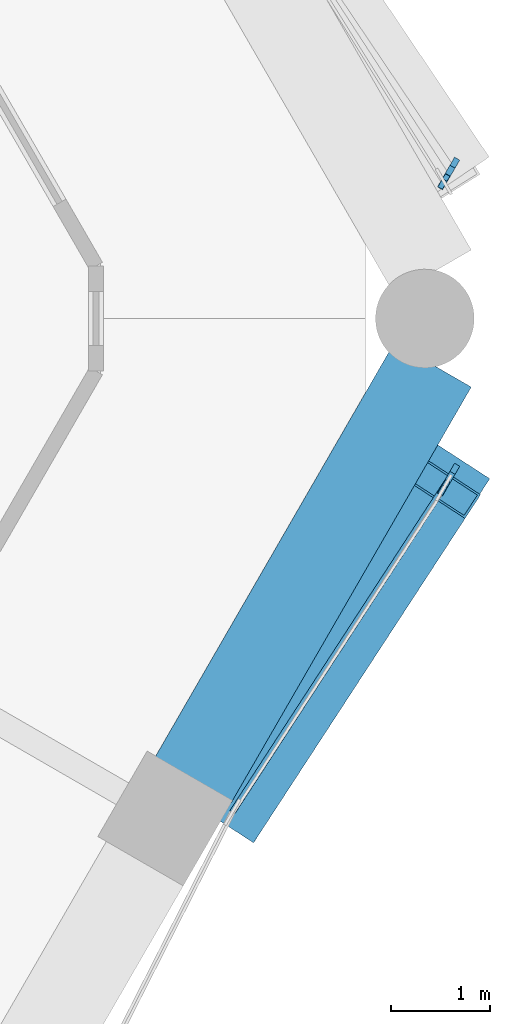
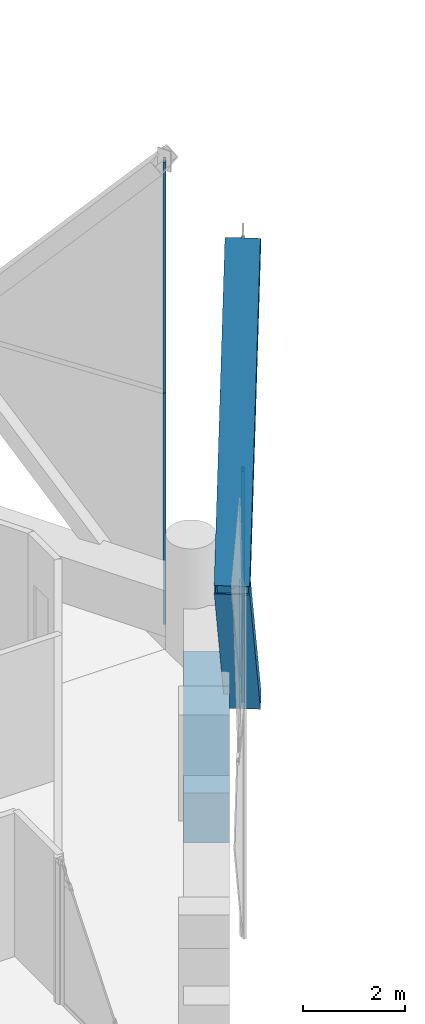
# One storey, part 14 of 37: 7 members, 1 beam, 3 elements without a shape of their own.
"""IFC4 building model written with IfcOpenShell, lengths in metres."""

import ifcopenshell
import ifcopenshell.guid

model = None  # the IFC model being written
_history = None  # IfcOwnerHistory: only IFC2X3 demands one
_inside = {}  # id of a spatial element -> (the spatial element, [elements in it])
_under = {}  # id of a project, library or spatial element -> (it, [spatial elements below it])
_declared = {}  # id of a project -> (the project, [libraries it declares])
_typed = {}  # id of a type object -> (the type object, [elements of that type])
_made_of = {}  # id of a material, layer set ... -> (it, [elements and type objects made of it])


def new_model(schema):
    """Start an empty IFC model of exactly this schema.

    Asked for "IFC4X3", IfcOpenShell would pick the latest addendum, in which some entities
    have other attributes; the version numbers below select the first issue.
    IFC2X3 requires an IfcOwnerHistory on every rooted entity: one is made here for all.
    """
    global model, _history
    if schema == "IFC4X3":
        model = ifcopenshell.file(schema_version=(4, 3, 0, 0))
    else:
        model = ifcopenshell.file(schema=schema)
    _inside.clear()
    _under.clear()
    _declared.clear()
    _typed.clear()
    _made_of.clear()
    _history = None
    if model.schema == "IFC2X3":
        org = make("IfcOrganization", Name="unknown")
        user = make(
            "IfcPersonAndOrganization",
            ThePerson=make("IfcPerson", FamilyName="unknown"),
            TheOrganization=org,
        )
        app = make(
            "IfcApplication",
            ApplicationDeveloper=org,
            Version="unknown",
            ApplicationFullName="unknown",
            ApplicationIdentifier="unknown",
        )
        _history = make(
            "IfcOwnerHistory",
            OwningUser=user,
            OwningApplication=app,
            ChangeAction="ADDED",
            CreationDate=0,
        )
    return model


def make(cls, **values):
    """One entity of the class cls with the attributes given. An attribute that is None is left unset."""
    return model.create_entity(
        cls, **{name: value for name, value in values.items() if value is not None}
    )


def rooted(cls, **values):
    """An entity with a GlobalId (a new one), such as an element, a storey or a relation."""
    return make(cls, GlobalId=ifcopenshell.guid.new(), OwnerHistory=_history, **values)


def si_unit(unit_type, name, prefix=None):
    """IfcSIUnit, for example si_unit("LENGTHUNIT", "METRE", prefix="MILLI")."""
    return make("IfcSIUnit", UnitType=unit_type, Prefix=prefix, Name=name)


def assignment(units):
    """IfcUnitAssignment: the units of a project."""
    return None if units is None else make("IfcUnitAssignment", Units=units)


def point(xyz):
    """IfcCartesianPoint."""
    return None if xyz is None else make("IfcCartesianPoint", Coordinates=xyz)


def direction(xyz):
    """IfcDirection."""
    return None if xyz is None else make("IfcDirection", DirectionRatios=xyz)


def frame(location, z_axis=None, x_axis=None):
    """IfcAxis2Placement3D, a coordinate frame: its origin and axes. An axis left out is left unset."""
    return make(
        "IfcAxis2Placement3D",
        Location=point(location),
        Axis=direction(z_axis),
        RefDirection=direction(x_axis),
    )


def frame_2d(location, x_axis=None):
    """IfcAxis2Placement2D, a coordinate frame in the plane: its origin and x axis."""
    return make(
        "IfcAxis2Placement2D", Location=point(location), RefDirection=direction(x_axis)
    )


def origin():
    """The frame at (0, 0, 0) with its axes left unset."""
    return frame((0.0, 0.0, 0.0))


def origin_2d():
    """The frame at (0, 0) in the plane with its x axis left unset."""
    return frame_2d((0.0, 0.0))


def place(relative_to, where):
    """IfcLocalPlacement: puts the frame where relative to a parent placement (None: the world)."""
    return make(
        "IfcLocalPlacement", PlacementRelTo=relative_to, RelativePlacement=where
    )


def context(
    kind, dimensions, precision=None, world=None, true_north=None, identifier=None
):
    """IfcGeometricRepresentationContext, for example the 3D "Model" context."""
    return make(
        "IfcGeometricRepresentationContext",
        ContextIdentifier=identifier,
        ContextType=kind,
        CoordinateSpaceDimension=dimensions,
        Precision=precision,
        WorldCoordinateSystem=world,
        TrueNorth=true_north,
    )


def subcontext(parent, identifier, kind, view, scale=None):
    """IfcGeometricRepresentationSubContext, for example "Body" below "Model"."""
    return make(
        "IfcGeometricRepresentationSubContext",
        ContextIdentifier=identifier,
        ContextType=kind,
        ParentContext=parent,
        TargetScale=scale,
        TargetView=view,
    )


def project(units=None, contexts=None):
    """IfcProject with its units and contexts."""
    return rooted(
        "IfcProject",
        Name="project",
        RepresentationContexts=contexts,
        UnitsInContext=assignment(units),
    )


def spatial(cls, under=None, at=None, **own):
    """A site, building, storey or space (cls), placed at a placement, below another one or the project."""
    s = rooted(cls, ObjectPlacement=at, **own)
    if under is not None:
        _under.setdefault(under.id(), (under, []))[1].append(s)
    return s


def profile(cls, at=None, kind="AREA", **sizes):
    """A parametric profile (cls). Its sizes go by their IFC names, for example OverallWidth=200.0."""
    return make(cls, ProfileType=kind, Position=at, **sizes)


def rectangle(**sizes):
    """IfcRectangleProfileDef."""
    return profile("IfcRectangleProfileDef", **sizes)


def hollow_rectangle(**sizes):
    """IfcRectangleHollowProfileDef."""
    return profile("IfcRectangleHollowProfileDef", **sizes)


def extrude(swept, where, along, depth):
    """IfcExtrudedAreaSolid: the profile swept, set in the frame where, extruded along a direction by depth."""
    return make(
        "IfcExtrudedAreaSolid",
        SweptArea=swept,
        Position=where,
        ExtrudedDirection=direction(along),
        Depth=depth,
    )


def shape(context_of_items, identifier, shape_type, items):
    """IfcShapeRepresentation: the items that make up one representation, for example the "Body"."""
    return make(
        "IfcShapeRepresentation",
        ContextOfItems=context_of_items,
        RepresentationIdentifier=identifier,
        RepresentationType=shape_type,
        Items=items,
    )


def material(Name=None, Category=None):
    """IfcMaterial."""
    return make("IfcMaterial", Name=Name, Category=Category)


def material_profile(
    of_material, cross_section, Name=None, Category=None, Priority=None
):
    """IfcMaterialProfile: a cross section and its material."""
    return make(
        "IfcMaterialProfile",
        Name=Name,
        Material=of_material,
        Profile=cross_section,
        Priority=Priority,
        Category=Category,
    )


def profile_set(profiles, Name=None, composite=None):
    """IfcMaterialProfileSet."""
    return make(
        "IfcMaterialProfileSet",
        Name=Name,
        MaterialProfiles=profiles,
        CompositeProfile=composite,
    )


def made_of(thing, what):
    """Note that an element or type object is made of a material, layer set ...; save() writes the relation."""
    if what is not None:
        _made_of.setdefault(what.id(), (what, []))[1].append(thing)
    return thing


def type_object(cls, material=None, **own):
    """A type object (cls), such as IfcWallType, which elements share."""
    return made_of(rooted(cls, **own), material)


def element(
    cls,
    number,
    at=None,
    inside=None,
    cuts=None,
    type_object=None,
    material=None,
    context=None,
    identifier="Body",
    shape_type=None,
    held_by="IfcProductDefinitionShape",
    body=None,
    shapes=None,
    **own,
):
    """One element of the class cls, such as IfcWall. Its Tag is "e" and its number.

    at: its placement. inside: the storey or other place that contains it. cuts: it is an
    opening in that element (IfcRelVoidsElement). A single representation is given by context,
    identifier, shape_type and body (its items); several are given by shapes. held_by: the class
    of the entity that holds the representations. save() writes the other relations.
    """
    e = rooted(cls, Tag="e%d" % number, ObjectPlacement=at, **own)
    if body is not None:
        shapes = [shape(context, identifier, shape_type, body)]
    if shapes is not None:
        e.Representation = make(held_by, Representations=shapes)
    if inside is not None:
        _inside.setdefault(inside.id(), (inside, []))[1].append(e)
    if cuts is not None:
        rooted(
            "IfcRelVoidsElement", RelatingBuildingElement=cuts, RelatedOpeningElement=e
        )
    if type_object is not None:
        _typed.setdefault(type_object.id(), (type_object, []))[1].append(e)
    return made_of(e, material)


def aggregate(whole, parts):
    """IfcRelAggregates: a whole, such as a stair, and the parts it consists of."""
    return rooted("IfcRelAggregates", RelatingObject=whole, RelatedObjects=parts)


def save(model, path):
    """Write the relations noted so far, then the file.

    IfcRelAggregates (storeys below a building ...), IfcRelContainedInSpatialStructure (elements
    in a storey), IfcRelDefinesByType, IfcRelAssociatesMaterial and IfcRelDeclares: one each for
    every whole, place, type object, material and project.
    """
    for whole, parts in _under.values():
        aggregate(whole, parts)
    for where, things in _inside.values():
        rooted(
            "IfcRelContainedInSpatialStructure",
            RelatedElements=things,
            RelatingStructure=where,
        )
    for kind, things in _typed.values():
        rooted("IfcRelDefinesByType", RelatedObjects=things, RelatingType=kind)
    for what, things in _made_of.values():
        rooted("IfcRelAssociatesMaterial", RelatedObjects=things, RelatingMaterial=what)
    for by, libraries in _declared.values():
        rooted("IfcRelDeclares", RelatingContext=by, RelatedDefinitions=libraries)
    model.write(path)


model = new_model("IFC4")

# Units and contexts
model_context = context("Model", 3, precision=1e-05, world=origin(), true_north=direction((0.0, 1.0)))
body_context = subcontext(model_context, "Body", "Model", "MODEL_VIEW")
ifc_project = project(units=[si_unit("LENGTHUNIT", "METRE"), si_unit("AREAUNIT", "SQUARE_METRE"), si_unit("VOLUMEUNIT", "CUBIC_METRE"), si_unit("PLANEANGLEUNIT", "RADIAN"), si_unit("MASSUNIT", "GRAM", prefix="KILO")], contexts=[model_context])

# Site, building, storey
site_placement = place(None, origin())
site = spatial("IfcSite", under=ifc_project, at=site_placement, CompositionType="ELEMENT")
building_placement = place(site_placement, origin())
building = spatial("IfcBuilding", under=site, at=building_placement, Name="Ostrander Bayou Hotel Tower", CompositionType="ELEMENT")
storey_placement = place(building_placement, frame((0.0, 0.0, 198.25)))
storey = spatial("IfcBuildingStorey", under=building, at=storey_placement, Name="L49", CompositionType="ELEMENT", Elevation=198.25)

# Curtain wall, members
ifc_material_1 = material(Name="Aluminium and clear glass", Category="aluminium")
curtain_wall_type = type_object("IfcCurtainWallType", Name="CW-LAT lattice glazing", PredefinedType="NOTDEFINED", material=ifc_material_1)
curtain_wall_1_placement = place(storey_placement, origin())
curtain_wall_1 = element("IfcCurtainWall", 1, at=curtain_wall_1_placement, inside=storey, type_object=curtain_wall_type, Name="CW-LAT L49 SE 1", PredefinedType="NOTDEFINED")
ifc_material_2 = material(Name="Aluminium", Category="aluminium")
ifc_material_profile_1 = material_profile(ifc_material_2, hollow_rectangle(XDim=0.06005859375, YDim=0.159912109375, WallThickness=0.00390625, at=origin_2d()))
ifc_profile_set_1 = profile_set([ifc_material_profile_1], Name="Aluminium")
member_type_1 = type_object("IfcMemberType", Name="CW-LA mullion 60 x 160 mm", PredefinedType="MULLION", material=ifc_profile_set_1)
member_1_placement = place(storey_placement, frame((20.576416015625, -2.500732421875, -0.60009765625), z_axis=(-0.008418950603, -0.014537878618, 0.99985887572), x_axis=(0.865367327112, -0.50113809391, 0.0)))
member_1 = element("IfcMember", 2, at=member_1_placement, type_object=member_type_1, Name="CW-LAT mullion 5", PredefinedType="MULLION", context=body_context, shape_type="SweptSolid", body=[
    extrude(hollow_rectangle(XDim=0.06005859375, YDim=0.159912109375, WallThickness=0.00390625, at=origin_2d()), origin(), (0.0, 0.0, 1.0), 5.625732421875),
])
member_2_placement = place(storey_placement, frame((20.529052734375, -2.58251953125, 5.02490234375), z_axis=(-0.008375557002, -0.014537883916, 0.999859240081), x_axis=(0.866486855147, -0.499199889682, 0.0)))
member_2 = element("IfcMember", 3, at=member_2_placement, type_object=member_type_1, Name="CW-LAT mullion 6", PredefinedType="MULLION", context=body_context, shape_type="SweptSolid", body=[
    extrude(hollow_rectangle(XDim=0.06005859375, YDim=0.159912109375, WallThickness=0.00390625, at=origin_2d()), origin(), (0.0, 0.0, 1.0), 5.625732421875),
])
aggregate(curtain_wall_1, [member_1, member_2])

curtain_wall_2_placement = place(storey_placement, origin())
curtain_wall_2 = element("IfcCurtainWall", 4, at=curtain_wall_2_placement, inside=storey, type_object=curtain_wall_type, Name="CW-LAT L49 NE 1", PredefinedType="NOTDEFINED")
member_3_placement = place(storey_placement, frame((20.576416015625, 0.602294921875, -0.60009765625), z_axis=(-0.008418950603, -0.014537878618, 0.99985887572), x_axis=(0.865367327112, -0.50113809391, 0.0)))
member_3 = element("IfcMember", 5, at=member_3_placement, type_object=member_type_1, Name="CW-LAT mullion 1", PredefinedType="MULLION", context=body_context, shape_type="SweptSolid", body=[
    extrude(hollow_rectangle(XDim=0.06005859375, YDim=0.159912109375, WallThickness=0.00390625, at=origin_2d()), origin(), (0.0, 0.0, 1.0), 5.625732421875),
])
member_4_placement = place(storey_placement, frame((20.529052734375, 0.5205078125, 5.02490234375), z_axis=(-0.008375557002, -0.014537883916, 0.999859240081), x_axis=(0.866486855147, -0.499199889682, 0.0)))
member_4 = element("IfcMember", 6, at=member_4_placement, type_object=member_type_1, Name="CW-LAT mullion 2", PredefinedType="MULLION", context=body_context, shape_type="SweptSolid", body=[
    extrude(hollow_rectangle(XDim=0.06005859375, YDim=0.159912109375, WallThickness=0.00390625, at=origin_2d()), origin(), (0.0, 0.0, 1.0), 5.625732421875),
])
aggregate(curtain_wall_2, [member_3, member_4])

# Curtain wall, member
curtain_wall_3_placement = place(storey_placement, origin())
curtain_wall_3 = element("IfcCurtainWall", 7, at=curtain_wall_3_placement, inside=storey, type_object=curtain_wall_type, Name="CW-LAT L49 SE 2", PredefinedType="NOTDEFINED")
ifc_material_3 = material(Name="Aluminium", Category="aluminium")
ifc_material_profile_2 = material_profile(ifc_material_3, hollow_rectangle(XDim=0.06005859375, YDim=0.1201171875, WallThickness=0.00390625, at=origin_2d()))
ifc_profile_set_2 = profile_set([ifc_material_profile_2], Name="Aluminium")
member_type_2 = type_object("IfcMemberType", Name="CW-LA transom 60 x 120 mm", PredefinedType="USERDEFINED", material=ifc_profile_set_2)
member_5_placement = place(storey_placement, frame((20.529052734375, -2.58251953125, 5.02490234375), z_axis=(-0.545118571936, -0.838358958043, 0.0), x_axis=(0.838358958043, -0.545118571936, 0.0)))
member_5 = element("IfcMember", 8, at=member_5_placement, type_object=member_type_2, Name="CW-LAT transom 7", ObjectType="TRANSOM", PredefinedType="USERDEFINED", context=body_context, shape_type="SweptSolid", body=[
    extrude(hollow_rectangle(XDim=0.06005859375, YDim=0.1201171875, WallThickness=0.00390625, at=origin_2d()), origin(), (0.0, 0.0, 1.0), 4.01953125),
])
aggregate(curtain_wall_3, [member_5])

# Members
ifc_material_4 = material(Name="Steel ASTM A572 Gr 50", Category="steel")
ifc_material_profile_3 = material_profile(ifc_material_4, hollow_rectangle(XDim=0.699951171875, YDim=0.35009765625, WallThickness=0.02490234375, at=origin_2d()))
ifc_profile_set_3 = profile_set([ifc_material_profile_3], Name="Steel ASTM A572 Gr 50")
member_type_3 = type_object("IfcMemberType", Name="LT1 lattice member box 700 x 350 x 25 mm", PredefinedType="BRACE", material=ifc_profile_set_3)
member_6_placement = place(storey_placement, frame((18.337890625, -5.952392578125, 5.02490234375), z_axis=(0.321216422171, 0.495294773329, -0.807157418129), x_axis=(-0.839004487986, 0.544124497831, 0.0)))
element("IfcMember", 9, at=member_6_placement, inside=storey, type_object=member_type_3, Name="LT1 L49 SE 1", PredefinedType="BRACE", context=body_context, shape_type="SweptSolid", body=[
    extrude(hollow_rectangle(XDim=0.699951171875, YDim=0.35009765625, WallThickness=0.02490234375, at=origin_2d()), origin(), (0.0, 0.0, 1.0), 6.968994140625),
])
member_7_placement = place(storey_placement, frame((18.337890625, -5.952392578125, 5.02490234375), z_axis=(0.312577731649, 0.479366532663, 0.82006273482), x_axis=(-0.837652663113, 0.546203273497, 0.0)))
element("IfcMember", 10, at=member_7_placement, inside=storey, type_object=member_type_3, Name="LT1 L49 SE 2", PredefinedType="BRACE", context=body_context, shape_type="SweptSolid", body=[
    extrude(hollow_rectangle(XDim=0.699951171875, YDim=0.35009765625, WallThickness=0.02490234375, at=origin_2d()), origin(), (0.0, 0.0, 1.0), 6.859130859375),
])

# Beam
ifc_material_5 = material(Name="Concrete f'c 60 MPa", Category="concrete")
ifc_material_profile_4 = material_profile(ifc_material_5, rectangle(XDim=0.89990234375, YDim=1.199951171875, at=origin_2d()))
ifc_profile_set_4 = profile_set([ifc_material_profile_4], Name="Concrete f'c 60 MPa")
beam_type = type_object("IfcBeamType", Name="SP3 spandrel beam 900 x 1200 mm f'c 60 MPa", PredefinedType="SPANDREL", material=ifc_profile_set_4)
beam_placement = place(storey_placement, frame((17.935546875, -5.634521484375, -0.60009765625), z_axis=(0.500033586455, 0.866006011767, 0.0), x_axis=(-0.866006011767, 0.500033586455, 0.0)))
element("IfcBeam", 11, at=beam_placement, inside=storey, type_object=beam_type, Name="SP3 L49 SE-3", PredefinedType="SPANDREL", context=body_context, shape_type="SweptSolid", body=[
    extrude(rectangle(XDim=0.89990234375, YDim=1.199951171875, at=origin_2d()), origin(), (0.0, 0.0, 1.0), 4.867919921875),
])

save(model, "model.ifc")
